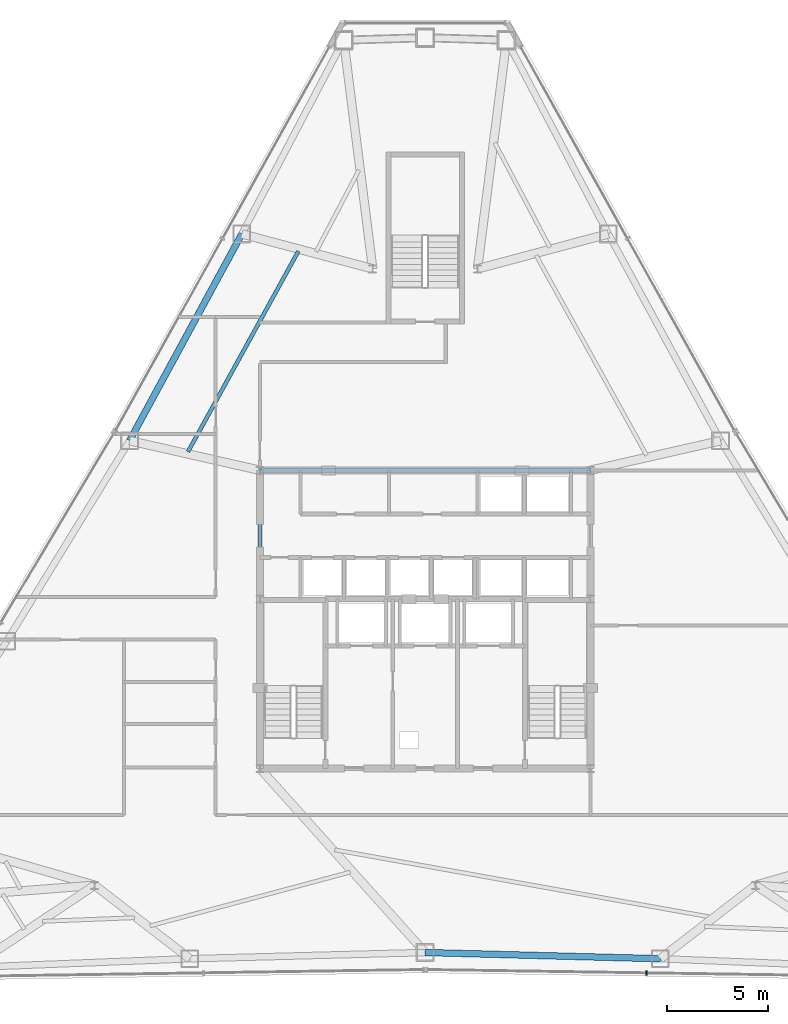
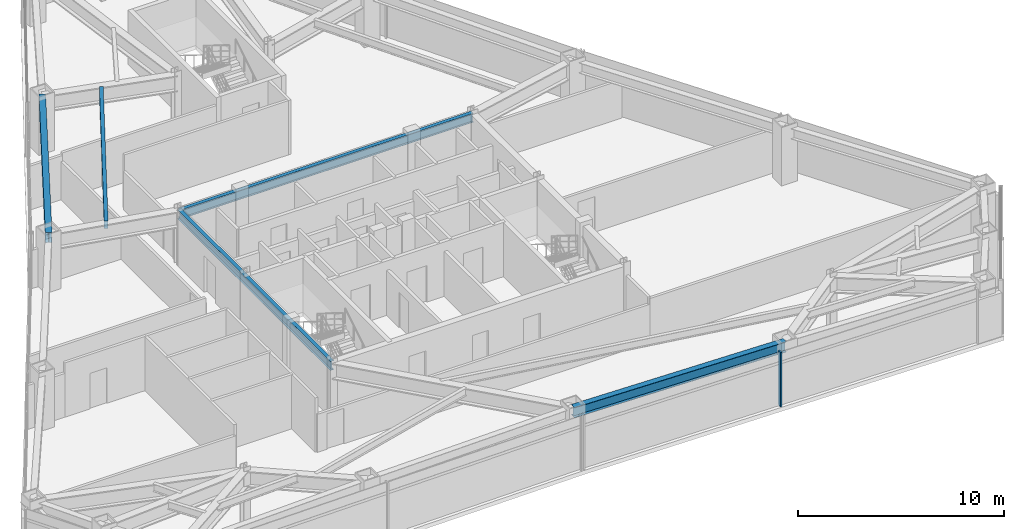
# One storey, part 5 of 13: 5 beams, 1 member, 1 element without a shape of its own.
"""IFC4 building model written with IfcOpenShell, lengths in metres."""

from ifc_helpers import new_model, si_unit, direction, frame, origin, origin_2d, place, context, subcontext, project, spatial, rectangle, i_section, extrude, source, transform, mapped, material, layer, layer_set, material_profile, profile_set, type_object, type_shapes, element, aggregate, save


model = new_model("IFC4")

# Units and contexts
model_context = context("Model", 3, precision=1e-05, world=origin(), true_north=direction((0.0, 1.0)))
body_context = subcontext(model_context, "Body", "Model", "MODEL_VIEW")
ifc_project = project(units=[si_unit("LENGTHUNIT", "METRE"), si_unit("AREAUNIT", "SQUARE_METRE"), si_unit("VOLUMEUNIT", "CUBIC_METRE"), si_unit("PLANEANGLEUNIT", "RADIAN"), si_unit("MASSUNIT", "GRAM", prefix="KILO")], contexts=[model_context])

# Site, building, storey
site_placement = place(None, origin())
site = spatial("IfcSite", under=ifc_project, at=site_placement, CompositionType="ELEMENT")
building_placement = place(site_placement, origin())
building = spatial("IfcBuilding", under=site, at=building_placement, Name="Varakhsha Concourse Tower", CompositionType="ELEMENT")
storey_placement = place(building_placement, frame((0.0, 0.0, 143.60009765625)))
storey = spatial("IfcBuildingStorey", under=building, at=storey_placement, Name="L41", CompositionType="ELEMENT", Elevation=143.60009765625)

# Beams
ifc_material_1 = material(Name="Structural Steel ASTM A992 Grade 50", Category="steel")
ifc_material_profile_1 = material_profile(ifc_material_1, i_section(OverallWidth=0.19091796875, OverallDepth=0.45703125, WebThickness=0.009033203125, FlangeThickness=0.013916015625, at=origin_2d()), Name="W18X50")
ifc_profile_set_1 = profile_set([ifc_material_profile_1], Name="Structural Steel ASTM A992 Grade 50")
beam_type_1 = type_object("IfcBeamType", Name="BM-JST-W18X50", PredefinedType="JOIST", material=ifc_profile_set_1)
beam_1_placement = place(storey_placement, frame((33.708984375, 42.07470703125, 2.9814453125), z_axis=(-0.482050703663, -0.876143321094, 0.0), x_axis=(0.876143321094, -0.482050703663, 0.0)))
element("IfcBeam", 1, at=beam_1_placement, inside=storey, type_object=beam_type_1, Name="BM-TJST-L41-04", PredefinedType="JOIST", context=body_context, shape_type="SweptSolid", body=[
    extrude(i_section(OverallWidth=0.19091796875, OverallDepth=0.45703125, WebThickness=0.009033203125, FlangeThickness=0.013916015625, at=origin_2d()), origin(), (0.0, 0.0, 1.0), 11.363525390625),
])
ifc_material_profile_2 = material_profile(ifc_material_1, i_section(OverallWidth=0.2109375, OverallDepth=0.5390625, WebThickness=0.011962890625, FlangeThickness=0.01904296875, at=origin_2d()), Name="W21X73")
ifc_profile_set_2 = profile_set([ifc_material_profile_2], Name="Structural Steel ASTM A992 Grade 50")
beam_type_2 = type_object("IfcBeamType", Name="BM-RAD-W21X73", PredefinedType="BEAM", material=ifc_profile_set_2)
beam_2_placement = place(storey_placement, frame((31.800048828125, 31.199951171875, 2.9404296875), z_axis=(1.0, 0.0, 0.0), x_axis=(0.0, 1.0, 0.0)))
element("IfcBeam", 2, at=beam_2_placement, inside=storey, type_object=beam_type_2, Name="BM-TCORE-L41-CN", PredefinedType="BEAM", context=body_context, shape_type="SweptSolid", body=[
    extrude(i_section(OverallWidth=0.2109375, OverallDepth=0.5390625, WebThickness=0.011962890625, FlangeThickness=0.01904296875, at=origin_2d()), origin(), (0.0, 0.0, 1.0), 16.39990234375),
])
beam_3_placement = place(storey_placement, frame((31.800048828125, 16.39990234375, 2.9404296875), z_axis=(0.0, 1.0, 0.0), x_axis=(-1.0, 0.0, 0.0)))
element("IfcBeam", 3, at=beam_3_placement, inside=storey, type_object=beam_type_2, Name="BM-TCORE-L41-CW", PredefinedType="BEAM", context=body_context, shape_type="SweptSolid", body=[
    extrude(i_section(OverallWidth=0.2109375, OverallDepth=0.5390625, WebThickness=0.011962890625, FlangeThickness=0.01904296875, at=origin_2d()), origin(), (0.0, 0.0, 1.0), 14.800048828125),
])
ifc_material_profile_3 = material_profile(ifc_material_1, i_section(OverallWidth=0.323974609375, OverallDepth=0.611083984375, WebThickness=0.012939453125, FlangeThickness=0.01904296875, at=origin_2d()), Name="W24X104")
ifc_profile_set_3 = profile_set([ifc_material_profile_3], Name="Structural Steel ASTM A992 Grade 50")
beam_type_3 = type_object("IfcBeamType", Name="BM-SPAN-W24X104", PredefinedType="SPANDREL", material=ifc_profile_set_3)
for number, where, z_axis, x_axis, name in (
    (4, (30.90380859375, 42.933837890625, 2.904296875), (-0.476994069137, -0.878906512667, 0.0), (0.878906512667, -0.476994069137, 0.0), "BM-SPAN-L41-04"),
    (5, (40.0, 7.263427734375, 2.904296875), (0.999652558255, -0.026358353044, 0.0), (0.026358353044, 0.999652558255, 0.0), "BM-SPAN-L41-11"),
):
    element("IfcBeam", number, at=place(storey_placement, frame(where, z_axis=z_axis, x_axis=x_axis)), inside=storey, type_object=beam_type_3, Name=name, PredefinedType="SPANDREL", context=body_context, shape_type="SweptSolid", body=[
        extrude(i_section(OverallWidth=0.323974609375, OverallDepth=0.611083984375, WebThickness=0.012939453125, FlangeThickness=0.01904296875, at=origin_2d()), origin(), (0.0, 0.0, 1.0), 11.679931640625),
    ])

# Curtain wall, member
ifc_material_2 = material(Name="Anodised Bronze Architectural Aluminium AA 6063-T6", Category="aluminium")
ifc_layer = layer(ifc_material_2, 0.2099609375, Name="CW-SYS-04")
ifc_layer_set = layer_set([ifc_layer], Name="Anodised Bronze Architectural Aluminium AA 6063-T6")
curtain_wall_type = type_object("IfcCurtainWallType", Name="CW-SYS-04", PredefinedType="NOTDEFINED", material=ifc_layer_set)
curtain_wall_placement = place(storey_placement, origin())
curtain_wall = element("IfcCurtainWall", 6, at=curtain_wall_placement, inside=storey, type_object=curtain_wall_type, Name="L41 Crystal Curtain Wall F6", PredefinedType="NOTDEFINED")
ifc_material_profile_4 = material_profile(ifc_material_2, rectangle(XDim=0.074951171875, YDim=0.219970703125, at=origin_2d()), Name="CWM-220X75")
ifc_profile_set_4 = profile_set([ifc_material_profile_4], Name="Anodised Bronze Architectural Aluminium AA 6063-T6")
member_type = type_object("IfcMemberType", Name="CWM-220X75", PredefinedType="MULLION", material=ifc_profile_set_4)
shared_shape = source(origin(), body_context, "Body", "SweptSolid", [
    extrude(rectangle(XDim=0.074951171875, YDim=0.219970703125, at=origin_2d()), origin(), (0.0, 0.0, 1.0), 3.2099609375),
])
type_shapes(member_type, [shared_shape])
member_placement = place(storey_placement, frame((50.994873046875, 6.245849609375, 0.0), z_axis=(0.0, 0.0, 1.0), x_axis=(-0.99988654105, 0.015063367057, 0.0)))
member = element("IfcMember", 7, at=member_placement, type_object=member_type, Name="CW-L41-F6 Mullion 01", PredefinedType="MULLION", context=body_context, shape_type="MappedRepresentation", body=[
    mapped(shared_shape, transform((0.0, 0.0, 0.0), scale=1.0)),
])
aggregate(curtain_wall, [member])

save(model, "model.ifc")
